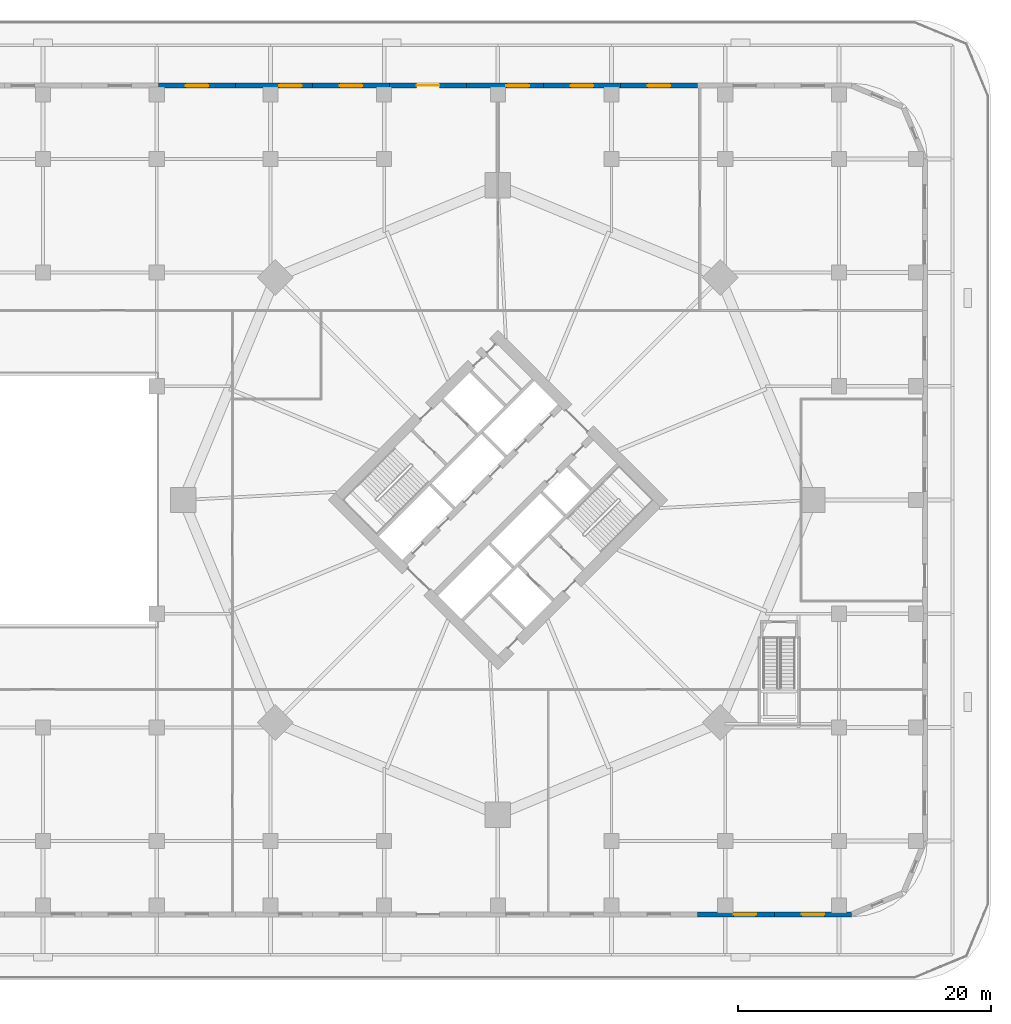
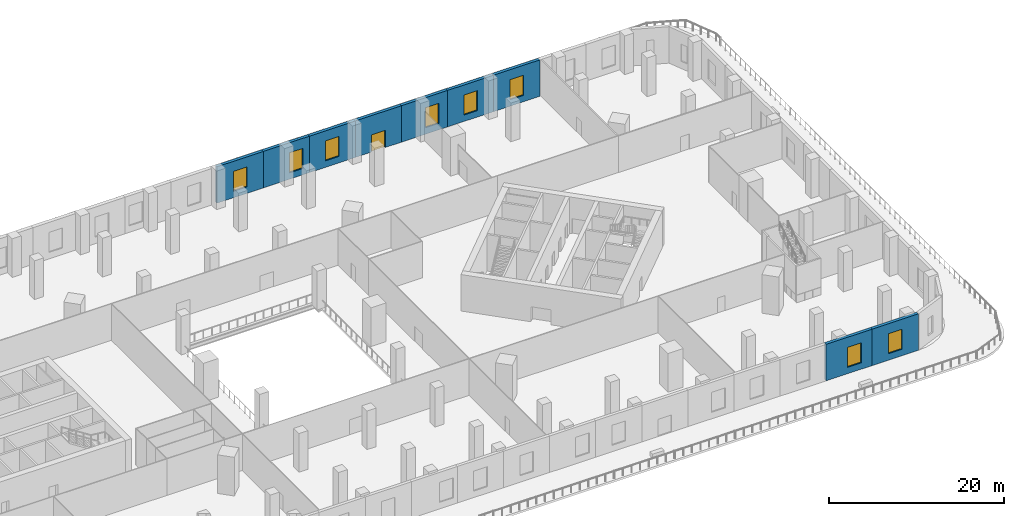
# One storey, part 11 of 20: 9 walls, 8 windows, 1 door, 9 openings.
"""IFC4 building model written with IfcOpenShell, lengths in metres."""

import ifcopenshell
import ifcopenshell.guid

model = None  # the IFC model being written
_history = None  # IfcOwnerHistory: only IFC2X3 demands one
_inside = {}  # id of a spatial element -> (the spatial element, [elements in it])
_under = {}  # id of a project, library or spatial element -> (it, [spatial elements below it])
_declared = {}  # id of a project -> (the project, [libraries it declares])
_typed = {}  # id of a type object -> (the type object, [elements of that type])
_made_of = {}  # id of a material, layer set ... -> (it, [elements and type objects made of it])


def new_model(schema):
    """Start an empty IFC model of exactly this schema.

    Asked for "IFC4X3", IfcOpenShell would pick the latest addendum, in which some entities
    have other attributes; the version numbers below select the first issue.
    IFC2X3 requires an IfcOwnerHistory on every rooted entity: one is made here for all.
    """
    global model, _history
    if schema == "IFC4X3":
        model = ifcopenshell.file(schema_version=(4, 3, 0, 0))
    else:
        model = ifcopenshell.file(schema=schema)
    _inside.clear()
    _under.clear()
    _declared.clear()
    _typed.clear()
    _made_of.clear()
    _history = None
    if model.schema == "IFC2X3":
        org = make("IfcOrganization", Name="unknown")
        user = make(
            "IfcPersonAndOrganization",
            ThePerson=make("IfcPerson", FamilyName="unknown"),
            TheOrganization=org,
        )
        app = make(
            "IfcApplication",
            ApplicationDeveloper=org,
            Version="unknown",
            ApplicationFullName="unknown",
            ApplicationIdentifier="unknown",
        )
        _history = make(
            "IfcOwnerHistory",
            OwningUser=user,
            OwningApplication=app,
            ChangeAction="ADDED",
            CreationDate=0,
        )
    return model


def make(cls, **values):
    """One entity of the class cls with the attributes given. An attribute that is None is left unset."""
    return model.create_entity(
        cls, **{name: value for name, value in values.items() if value is not None}
    )


def rooted(cls, **values):
    """An entity with a GlobalId (a new one), such as an element, a storey or a relation."""
    return make(cls, GlobalId=ifcopenshell.guid.new(), OwnerHistory=_history, **values)


def si_unit(unit_type, name, prefix=None):
    """IfcSIUnit, for example si_unit("LENGTHUNIT", "METRE", prefix="MILLI")."""
    return make("IfcSIUnit", UnitType=unit_type, Prefix=prefix, Name=name)


def assignment(units):
    """IfcUnitAssignment: the units of a project."""
    return None if units is None else make("IfcUnitAssignment", Units=units)


def point(xyz):
    """IfcCartesianPoint."""
    return None if xyz is None else make("IfcCartesianPoint", Coordinates=xyz)


def direction(xyz):
    """IfcDirection."""
    return None if xyz is None else make("IfcDirection", DirectionRatios=xyz)


def frame(location, z_axis=None, x_axis=None):
    """IfcAxis2Placement3D, a coordinate frame: its origin and axes. An axis left out is left unset."""
    return make(
        "IfcAxis2Placement3D",
        Location=point(location),
        Axis=direction(z_axis),
        RefDirection=direction(x_axis),
    )


def frame_2d(location, x_axis=None):
    """IfcAxis2Placement2D, a coordinate frame in the plane: its origin and x axis."""
    return make(
        "IfcAxis2Placement2D", Location=point(location), RefDirection=direction(x_axis)
    )


def origin():
    """The frame at (0, 0, 0) with its axes left unset."""
    return frame((0.0, 0.0, 0.0))


def place(relative_to, where):
    """IfcLocalPlacement: puts the frame where relative to a parent placement (None: the world)."""
    return make(
        "IfcLocalPlacement", PlacementRelTo=relative_to, RelativePlacement=where
    )


def context(
    kind, dimensions, precision=None, world=None, true_north=None, identifier=None
):
    """IfcGeometricRepresentationContext, for example the 3D "Model" context."""
    return make(
        "IfcGeometricRepresentationContext",
        ContextIdentifier=identifier,
        ContextType=kind,
        CoordinateSpaceDimension=dimensions,
        Precision=precision,
        WorldCoordinateSystem=world,
        TrueNorth=true_north,
    )


def subcontext(parent, identifier, kind, view, scale=None):
    """IfcGeometricRepresentationSubContext, for example "Body" below "Model"."""
    return make(
        "IfcGeometricRepresentationSubContext",
        ContextIdentifier=identifier,
        ContextType=kind,
        ParentContext=parent,
        TargetScale=scale,
        TargetView=view,
    )


def project(units=None, contexts=None):
    """IfcProject with its units and contexts."""
    return rooted(
        "IfcProject",
        Name="project",
        RepresentationContexts=contexts,
        UnitsInContext=assignment(units),
    )


def spatial(cls, under=None, at=None, **own):
    """A site, building, storey or space (cls), placed at a placement, below another one or the project."""
    s = rooted(cls, ObjectPlacement=at, **own)
    if under is not None:
        _under.setdefault(under.id(), (under, []))[1].append(s)
    return s


def profile(cls, at=None, kind="AREA", **sizes):
    """A parametric profile (cls). Its sizes go by their IFC names, for example OverallWidth=200.0."""
    return make(cls, ProfileType=kind, Position=at, **sizes)


def rectangle(**sizes):
    """IfcRectangleProfileDef."""
    return profile("IfcRectangleProfileDef", **sizes)


def extrude(swept, where, along, depth):
    """IfcExtrudedAreaSolid: the profile swept, set in the frame where, extruded along a direction by depth."""
    return make(
        "IfcExtrudedAreaSolid",
        SweptArea=swept,
        Position=where,
        ExtrudedDirection=direction(along),
        Depth=depth,
    )


def shape(context_of_items, identifier, shape_type, items):
    """IfcShapeRepresentation: the items that make up one representation, for example the "Body"."""
    return make(
        "IfcShapeRepresentation",
        ContextOfItems=context_of_items,
        RepresentationIdentifier=identifier,
        RepresentationType=shape_type,
        Items=items,
    )


def material(Name=None, Category=None):
    """IfcMaterial."""
    return make("IfcMaterial", Name=Name, Category=Category)


def layer(
    of_material, thickness, ventilated=None, Name=None, Category=None, Priority=None
):
    """IfcMaterialLayer: one layer of a wall or slab, of a material (None: an air gap)."""
    return make(
        "IfcMaterialLayer",
        Material=of_material,
        LayerThickness=thickness,
        IsVentilated=ventilated,
        Name=Name,
        Category=Category,
        Priority=Priority,
    )


def layer_set(layers, Name=None):
    """IfcMaterialLayerSet."""
    return make("IfcMaterialLayerSet", MaterialLayers=layers, LayerSetName=Name)


def made_of(thing, what):
    """Note that an element or type object is made of a material, layer set ...; save() writes the relation."""
    if what is not None:
        _made_of.setdefault(what.id(), (what, []))[1].append(thing)
    return thing


def type_object(cls, material=None, **own):
    """A type object (cls), such as IfcWallType, which elements share."""
    return made_of(rooted(cls, **own), material)


def element(
    cls,
    number,
    at=None,
    inside=None,
    cuts=None,
    type_object=None,
    material=None,
    context=None,
    identifier="Body",
    shape_type=None,
    held_by="IfcProductDefinitionShape",
    body=None,
    shapes=None,
    **own,
):
    """One element of the class cls, such as IfcWall. Its Tag is "e" and its number.

    at: its placement. inside: the storey or other place that contains it. cuts: it is an
    opening in that element (IfcRelVoidsElement). A single representation is given by context,
    identifier, shape_type and body (its items); several are given by shapes. held_by: the class
    of the entity that holds the representations. save() writes the other relations.
    """
    e = rooted(cls, Tag="e%d" % number, ObjectPlacement=at, **own)
    if body is not None:
        shapes = [shape(context, identifier, shape_type, body)]
    if shapes is not None:
        e.Representation = make(held_by, Representations=shapes)
    if inside is not None:
        _inside.setdefault(inside.id(), (inside, []))[1].append(e)
    if cuts is not None:
        rooted(
            "IfcRelVoidsElement", RelatingBuildingElement=cuts, RelatedOpeningElement=e
        )
    if type_object is not None:
        _typed.setdefault(type_object.id(), (type_object, []))[1].append(e)
    return made_of(e, material)


def fill(opening, filler):
    """IfcRelFillsElement: the door or window that sits in an opening."""
    return rooted(
        "IfcRelFillsElement",
        RelatingOpeningElement=opening,
        RelatedBuildingElement=filler,
    )


def aggregate(whole, parts):
    """IfcRelAggregates: a whole, such as a stair, and the parts it consists of."""
    return rooted("IfcRelAggregates", RelatingObject=whole, RelatedObjects=parts)


def save(model, path):
    """Write the relations noted so far, then the file.

    IfcRelAggregates (storeys below a building ...), IfcRelContainedInSpatialStructure (elements
    in a storey), IfcRelDefinesByType, IfcRelAssociatesMaterial and IfcRelDeclares: one each for
    every whole, place, type object, material and project.
    """
    for whole, parts in _under.values():
        aggregate(whole, parts)
    for where, things in _inside.values():
        rooted(
            "IfcRelContainedInSpatialStructure",
            RelatedElements=things,
            RelatingStructure=where,
        )
    for kind, things in _typed.values():
        rooted("IfcRelDefinesByType", RelatedObjects=things, RelatingType=kind)
    for what, things in _made_of.values():
        rooted("IfcRelAssociatesMaterial", RelatedObjects=things, RelatingMaterial=what)
    for by, libraries in _declared.values():
        rooted("IfcRelDeclares", RelatingContext=by, RelatedDefinitions=libraries)
    model.write(path)


model = new_model("IFC4")

# Units and contexts
model_context = context("Model", 3, precision=1e-05, world=origin(), true_north=direction((0.0, 1.0)))
body_context = subcontext(model_context, "Body", "Model", "MODEL_VIEW")
ifc_project = project(units=[si_unit("LENGTHUNIT", "METRE"), si_unit("AREAUNIT", "SQUARE_METRE"), si_unit("VOLUMEUNIT", "CUBIC_METRE"), si_unit("PLANEANGLEUNIT", "RADIAN"), si_unit("MASSUNIT", "GRAM", prefix="KILO")], contexts=[model_context])

# Site, building, storey
site_placement = place(None, origin())
site = spatial("IfcSite", under=ifc_project, at=site_placement, CompositionType="ELEMENT")
building_placement = place(site_placement, origin())
building = spatial("IfcBuilding", under=site, at=building_placement, Name="Ogive Gate Towers", CompositionType="ELEMENT")
storey_placement = place(building_placement, frame((0.0, 0.0, 7.199951171875)))
storey = spatial("IfcBuildingStorey", under=building, at=storey_placement, Name="L01", CompositionType="ELEMENT", Elevation=7.199951171875)

# Wall, opening, window
ifc_material_1 = material(Name="Precast concrete C40/50", Category="concrete")
ifc_layer = layer(ifc_material_1, 0.39990234375)
ifc_layer_set = layer_set([ifc_layer], Name="Podium wall 400")
wall_type = type_object("IfcWallType", Name="Podium wall 400", PredefinedType="SOLIDWALL", material=ifc_layer_set)
wall_1_placement = place(storey_placement, frame((51.8095703125, 32.800048828125, 0.0), z_axis=(0.0, 0.0, 1.0), x_axis=(-1.0, 0.0, 0.0)))
wall_1 = element("IfcWall", 1, at=wall_1_placement, inside=storey, type_object=wall_type, Name="Podium wall", PredefinedType="SOLIDWALL", context=body_context, shape_type="SweptSolid", body=[
    extrude(rectangle(XDim=6.09521484375, YDim=0.39990234375, at=frame_2d((3.047607421875, 0.0))), origin(), (0.0, 0.0, 1.0), 5.10009765625),
])
opening_1_placement = place(wall_1_placement, frame((2.147705078125, 0.0, 0.89990234375)))
opening_1 = element("IfcOpeningElement", 2, at=opening_1_placement, cuts=wall_1, Name="Opening WN1", PredefinedType="OPENING", context=body_context, shape_type="SweptSolid", body=[
    extrude(rectangle(XDim=1.800048828125, YDim=2.800048828125, at=frame_2d((0.89990234375, 1.39990234375))), frame((0.0, 0.2099609375, 0.0), z_axis=(0.0, -1.0, 0.0), x_axis=(1.0, 0.0, 0.0)), (0.0, 0.0, 1.0), 0.419921875),
])
ifc_material_2 = material(Name="Clear glass", Category="glass")
window_type = type_object("IfcWindowType", Name="Podium window 1800 x 2800", PartitioningType="SINGLE_PANEL", PredefinedType="WINDOW", material=ifc_material_2)
window_1_placement = place(opening_1_placement, origin())
window_1 = element("IfcWindow", 3, at=window_1_placement, inside=storey, type_object=window_type, Name="Podium window", OverallHeight=2.800048828125, OverallWidth=1.800048828125, PartitioningType="SINGLE_PANEL", PredefinedType="WINDOW", context=body_context, shape_type="SweptSolid", body=[
    extrude(rectangle(XDim=1.800048828125, YDim=2.800048828125, at=frame_2d((0.89990234375, 1.39990234375))), frame((0.0, 0.030029296875, 0.0), z_axis=(0.0, -1.0, 0.0), x_axis=(1.0, 0.0, 0.0)), (0.0, 0.0, 1.0), 0.06005859375),
])
fill(opening_1, window_1)

wall_2_placement = place(storey_placement, frame((45.71435546875, 32.800048828125, 0.0), z_axis=(0.0, 0.0, 1.0), x_axis=(-1.0, 0.0, 0.0)))
wall_2 = element("IfcWall", 4, at=wall_2_placement, inside=storey, type_object=wall_type, Name="Podium wall", PredefinedType="SOLIDWALL", context=body_context, shape_type="SweptSolid", body=[
    extrude(rectangle(XDim=6.095458984375, YDim=0.39990234375, at=frame_2d((3.0478515625, 0.0))), origin(), (0.0, 0.0, 1.0), 5.10009765625),
])
opening_2_placement = place(wall_2_placement, frame((2.147705078125, 0.0, 0.89990234375)))
opening_2 = element("IfcOpeningElement", 5, at=opening_2_placement, cuts=wall_2, Name="Opening WN1", PredefinedType="OPENING", context=body_context, shape_type="SweptSolid", body=[
    extrude(rectangle(XDim=1.800048828125, YDim=2.800048828125, at=frame_2d((0.89990234375, 1.39990234375))), frame((0.0, 0.2099609375, 0.0), z_axis=(0.0, -1.0, 0.0), x_axis=(1.0, 0.0, 0.0)), (0.0, 0.0, 1.0), 0.419921875),
])
window_2_placement = place(opening_2_placement, origin())
window_2 = element("IfcWindow", 6, at=window_2_placement, inside=storey, type_object=window_type, Name="Podium window", OverallHeight=2.800048828125, OverallWidth=1.800048828125, PartitioningType="SINGLE_PANEL", PredefinedType="WINDOW", context=body_context, shape_type="SweptSolid", body=[
    extrude(rectangle(XDim=1.800048828125, YDim=2.800048828125, at=frame_2d((0.89990234375, 1.39990234375))), frame((0.0, 0.030029296875, 0.0), z_axis=(0.0, -1.0, 0.0), x_axis=(1.0, 0.0, 0.0)), (0.0, 0.0, 1.0), 0.06005859375),
])
fill(opening_2, window_2)

wall_3_placement = place(storey_placement, frame((39.618896484375, 32.800048828125, 0.0), z_axis=(0.0, 0.0, 1.0), x_axis=(-1.0, 0.0, 0.0)))
wall_3 = element("IfcWall", 7, at=wall_3_placement, inside=storey, type_object=wall_type, Name="Podium wall", PredefinedType="SOLIDWALL", context=body_context, shape_type="SweptSolid", body=[
    extrude(rectangle(XDim=6.09521484375, YDim=0.39990234375, at=frame_2d((3.047607421875, 0.0))), origin(), (0.0, 0.0, 1.0), 5.10009765625),
])
opening_3_placement = place(wall_3_placement, frame((1.147705078125, 0.0, 0.89990234375)))
opening_3 = element("IfcOpeningElement", 8, at=opening_3_placement, cuts=wall_3, Name="Opening WN1", PredefinedType="OPENING", context=body_context, shape_type="SweptSolid", body=[
    extrude(rectangle(XDim=1.800048828125, YDim=2.800048828125, at=frame_2d((0.89990234375, 1.39990234375))), frame((0.0, 0.2099609375, 0.0), z_axis=(0.0, -1.0, 0.0), x_axis=(1.0, 0.0, 0.0)), (0.0, 0.0, 1.0), 0.419921875),
])
window_3_placement = place(opening_3_placement, origin())
window_3 = element("IfcWindow", 9, at=window_3_placement, inside=storey, type_object=window_type, Name="Podium window", OverallHeight=2.800048828125, OverallWidth=1.800048828125, PartitioningType="SINGLE_PANEL", PredefinedType="WINDOW", context=body_context, shape_type="SweptSolid", body=[
    extrude(rectangle(XDim=1.800048828125, YDim=2.800048828125, at=frame_2d((0.89990234375, 1.39990234375))), frame((0.0, 0.030029296875, 0.0), z_axis=(0.0, -1.0, 0.0), x_axis=(1.0, 0.0, 0.0)), (0.0, 0.0, 1.0), 0.06005859375),
])
fill(opening_3, window_3)

# Wall, opening, door
wall_4_placement = place(storey_placement, frame((33.523681640625, 32.800048828125, 0.0), z_axis=(0.0, 0.0, 1.0), x_axis=(-1.0, 0.0, 0.0)))
wall_4 = element("IfcWall", 10, at=wall_4_placement, inside=storey, type_object=wall_type, Name="Podium wall", PredefinedType="SOLIDWALL", context=body_context, shape_type="SweptSolid", body=[
    extrude(rectangle(XDim=6.094970703125, YDim=0.39990234375, at=frame_2d((3.04736328125, 0.0))), origin(), (0.0, 0.0, 1.0), 5.10009765625),
])
opening_4_placement = place(wall_4_placement, frame((2.147705078125, 0.0, 0.0)))
opening_4 = element("IfcOpeningElement", 11, at=opening_4_placement, cuts=wall_4, Name="Opening ED3-L01-02", PredefinedType="OPENING", context=body_context, shape_type="SweptSolid", body=[
    extrude(rectangle(XDim=1.800048828125, YDim=2.39990234375, at=frame_2d((0.89990234375, 1.199951171875))), frame((0.0, 0.2099609375, 0.0), z_axis=(0.0, -1.0, 0.0), x_axis=(1.0, 0.0, 0.0)), (0.0, 0.0, 1.0), 0.419921875),
])
ifc_material_3 = material(Name="Pale metal aluminium", Category="aluminium")
door_type = type_object("IfcDoorType", Name="Terrace door 1800 x 2400", OperationType="DOUBLE_DOOR_SINGLE_SWING", PredefinedType="DOOR", material=ifc_material_3)
door_placement = place(opening_4_placement, origin())
door = element("IfcDoor", 12, at=door_placement, inside=storey, type_object=door_type, Name="Exterior door", OperationType="SINGLE_SWING_LEFT", OverallHeight=2.39990234375, OverallWidth=1.800048828125, PredefinedType="DOOR", context=body_context, shape_type="SweptSolid", body=[
    extrude(rectangle(XDim=1.800048828125, YDim=2.39990234375, at=frame_2d((0.89990234375, 1.199951171875))), frame((0.0, 0.02490234375, 0.0), z_axis=(0.0, -1.0, 0.0), x_axis=(1.0, 0.0, 0.0)), (0.0, 0.0, 1.0), 0.050048828125),
])
fill(opening_4, door)

# Wall, opening, window
wall_5_placement = place(storey_placement, frame((27.4287109375, 32.800048828125, 0.0), z_axis=(0.0, 0.0, 1.0), x_axis=(-1.0, 0.0, 0.0)))
wall_5 = element("IfcWall", 13, at=wall_5_placement, inside=storey, type_object=wall_type, Name="Podium wall", PredefinedType="SOLIDWALL", context=body_context, shape_type="SweptSolid", body=[
    extrude(rectangle(XDim=6.095458984375, YDim=0.39990234375, at=frame_2d((3.0478515625, 0.0))), origin(), (0.0, 0.0, 1.0), 5.10009765625),
])
opening_5_placement = place(wall_5_placement, frame((2.147705078125, 0.0, 0.89990234375)))
opening_5 = element("IfcOpeningElement", 14, at=opening_5_placement, cuts=wall_5, Name="Opening WN1", PredefinedType="OPENING", context=body_context, shape_type="SweptSolid", body=[
    extrude(rectangle(XDim=1.800048828125, YDim=2.800048828125, at=frame_2d((0.89990234375, 1.39990234375))), frame((0.0, 0.2099609375, 0.0), z_axis=(0.0, -1.0, 0.0), x_axis=(1.0, 0.0, 0.0)), (0.0, 0.0, 1.0), 0.419921875),
])
window_4_placement = place(opening_5_placement, origin())
window_4 = element("IfcWindow", 15, at=window_4_placement, inside=storey, type_object=window_type, Name="Podium window", OverallHeight=2.800048828125, OverallWidth=1.800048828125, PartitioningType="SINGLE_PANEL", PredefinedType="WINDOW", context=body_context, shape_type="SweptSolid", body=[
    extrude(rectangle(XDim=1.800048828125, YDim=2.800048828125, at=frame_2d((0.89990234375, 1.39990234375))), frame((0.0, 0.030029296875, 0.0), z_axis=(0.0, -1.0, 0.0), x_axis=(1.0, 0.0, 0.0)), (0.0, 0.0, 1.0), 0.06005859375),
])
fill(opening_5, window_4)

wall_6_placement = place(storey_placement, frame((21.333251953125, 32.800048828125, 0.0), z_axis=(0.0, 0.0, 1.0), x_axis=(-1.0, 0.0, 0.0)))
wall_6 = element("IfcWall", 16, at=wall_6_placement, inside=storey, type_object=wall_type, Name="Podium wall", PredefinedType="SOLIDWALL", context=body_context, shape_type="SweptSolid", body=[
    extrude(rectangle(XDim=6.09521484375, YDim=0.39990234375, at=frame_2d((3.047607421875, 0.0))), origin(), (0.0, 0.0, 1.0), 5.10009765625),
])
opening_6_placement = place(wall_6_placement, frame((0.84765625, 0.0, 0.89990234375)))
opening_6 = element("IfcOpeningElement", 17, at=opening_6_placement, cuts=wall_6, Name="Opening WN1", PredefinedType="OPENING", context=body_context, shape_type="SweptSolid", body=[
    extrude(rectangle(XDim=1.800048828125, YDim=2.800048828125, at=frame_2d((0.89990234375, 1.39990234375))), frame((0.0, 0.2099609375, 0.0), z_axis=(0.0, -1.0, 0.0), x_axis=(1.0, 0.0, 0.0)), (0.0, 0.0, 1.0), 0.419921875),
])
window_5_placement = place(opening_6_placement, origin())
window_5 = element("IfcWindow", 18, at=window_5_placement, inside=storey, type_object=window_type, Name="Podium window", OverallHeight=2.800048828125, OverallWidth=1.800048828125, PartitioningType="SINGLE_PANEL", PredefinedType="WINDOW", context=body_context, shape_type="SweptSolid", body=[
    extrude(rectangle(XDim=1.800048828125, YDim=2.800048828125, at=frame_2d((0.89990234375, 1.39990234375))), frame((0.0, 0.030029296875, 0.0), z_axis=(0.0, -1.0, 0.0), x_axis=(1.0, 0.0, 0.0)), (0.0, 0.0, 1.0), 0.06005859375),
])
fill(opening_6, window_5)

wall_7_placement = place(storey_placement, frame((15.238037109375, 32.800048828125, 0.0), z_axis=(0.0, 0.0, 1.0), x_axis=(-1.0, 0.0, 0.0)))
wall_7 = element("IfcWall", 19, at=wall_7_placement, inside=storey, type_object=wall_type, Name="Podium wall", PredefinedType="SOLIDWALL", context=body_context, shape_type="SweptSolid", body=[
    extrude(rectangle(XDim=6.09521484375, YDim=0.39990234375, at=frame_2d((3.047607421875, 0.0))), origin(), (0.0, 0.0, 1.0), 5.10009765625),
])
opening_7_placement = place(wall_7_placement, frame((2.147705078125, 0.0, 0.89990234375)))
opening_7 = element("IfcOpeningElement", 20, at=opening_7_placement, cuts=wall_7, Name="Opening WN1", PredefinedType="OPENING", context=body_context, shape_type="SweptSolid", body=[
    extrude(rectangle(XDim=1.800048828125, YDim=2.800048828125, at=frame_2d((0.89990234375, 1.39990234375))), frame((0.0, 0.2099609375, 0.0), z_axis=(0.0, -1.0, 0.0), x_axis=(1.0, 0.0, 0.0)), (0.0, 0.0, 1.0), 0.419921875),
])
window_6_placement = place(opening_7_placement, origin())
window_6 = element("IfcWindow", 21, at=window_6_placement, inside=storey, type_object=window_type, Name="Podium window", OverallHeight=2.800048828125, OverallWidth=1.800048828125, PartitioningType="SINGLE_PANEL", PredefinedType="WINDOW", context=body_context, shape_type="SweptSolid", body=[
    extrude(rectangle(XDim=1.800048828125, YDim=2.800048828125, at=frame_2d((0.89990234375, 1.39990234375))), frame((0.0, 0.030029296875, 0.0), z_axis=(0.0, -1.0, 0.0), x_axis=(1.0, 0.0, 0.0)), (0.0, 0.0, 1.0), 0.06005859375),
])
fill(opening_7, window_6)

wall_8_placement = place(storey_placement, frame((51.8095703125, -32.800048828125, 0.0), z_axis=(0.0, 0.0, 1.0), x_axis=(1.0, 0.0, 0.0)))
wall_8 = element("IfcWall", 22, at=wall_8_placement, inside=storey, type_object=wall_type, Name="Podium wall", PredefinedType="SOLIDWALL", context=body_context, shape_type="SweptSolid", body=[
    extrude(rectangle(XDim=6.09521484375, YDim=0.39990234375, at=frame_2d((3.047607421875, 0.0))), origin(), (0.0, 0.0, 1.0), 5.10009765625),
])
opening_8_placement = place(wall_8_placement, frame((2.84765625, 0.0, 0.89990234375)))
opening_8 = element("IfcOpeningElement", 23, at=opening_8_placement, cuts=wall_8, Name="Opening WN1", PredefinedType="OPENING", context=body_context, shape_type="SweptSolid", body=[
    extrude(rectangle(XDim=1.800048828125, YDim=2.800048828125, at=frame_2d((0.89990234375, 1.39990234375))), frame((0.0, 0.2099609375, 0.0), z_axis=(0.0, -1.0, 0.0), x_axis=(1.0, 0.0, 0.0)), (0.0, 0.0, 1.0), 0.419921875),
])
window_7_placement = place(opening_8_placement, origin())
window_7 = element("IfcWindow", 24, at=window_7_placement, inside=storey, type_object=window_type, Name="Podium window", OverallHeight=2.800048828125, OverallWidth=1.800048828125, PartitioningType="SINGLE_PANEL", PredefinedType="WINDOW", context=body_context, shape_type="SweptSolid", body=[
    extrude(rectangle(XDim=1.800048828125, YDim=2.800048828125, at=frame_2d((0.89990234375, 1.39990234375))), frame((0.0, 0.030029296875, 0.0), z_axis=(0.0, -1.0, 0.0), x_axis=(1.0, 0.0, 0.0)), (0.0, 0.0, 1.0), 0.06005859375),
])
fill(opening_8, window_7)

wall_9_placement = place(storey_placement, frame((57.90478515625, -32.800048828125, 0.0), z_axis=(0.0, 0.0, 1.0), x_axis=(1.0, 0.0, 0.0)))
wall_9 = element("IfcWall", 25, at=wall_9_placement, inside=storey, type_object=wall_type, Name="Podium wall", PredefinedType="SOLIDWALL", context=body_context, shape_type="SweptSolid", body=[
    extrude(rectangle(XDim=6.09521484375, YDim=0.39990234375, at=frame_2d((3.047607421875, 0.0))), origin(), (0.0, 0.0, 1.0), 5.10009765625),
])
opening_9_placement = place(wall_9_placement, frame((2.147705078125, 0.0, 0.89990234375)))
opening_9 = element("IfcOpeningElement", 26, at=opening_9_placement, cuts=wall_9, Name="Opening WN1", PredefinedType="OPENING", context=body_context, shape_type="SweptSolid", body=[
    extrude(rectangle(XDim=1.800048828125, YDim=2.800048828125, at=frame_2d((0.89990234375, 1.39990234375))), frame((0.0, 0.2099609375, 0.0), z_axis=(0.0, -1.0, 0.0), x_axis=(1.0, 0.0, 0.0)), (0.0, 0.0, 1.0), 0.419921875),
])
window_8_placement = place(opening_9_placement, origin())
window_8 = element("IfcWindow", 27, at=window_8_placement, inside=storey, type_object=window_type, Name="Podium window", OverallHeight=2.800048828125, OverallWidth=1.800048828125, PartitioningType="SINGLE_PANEL", PredefinedType="WINDOW", context=body_context, shape_type="SweptSolid", body=[
    extrude(rectangle(XDim=1.800048828125, YDim=2.800048828125, at=frame_2d((0.89990234375, 1.39990234375))), frame((0.0, 0.030029296875, 0.0), z_axis=(0.0, -1.0, 0.0), x_axis=(1.0, 0.0, 0.0)), (0.0, 0.0, 1.0), 0.06005859375),
])
fill(opening_9, window_8)

save(model, "model.ifc")
